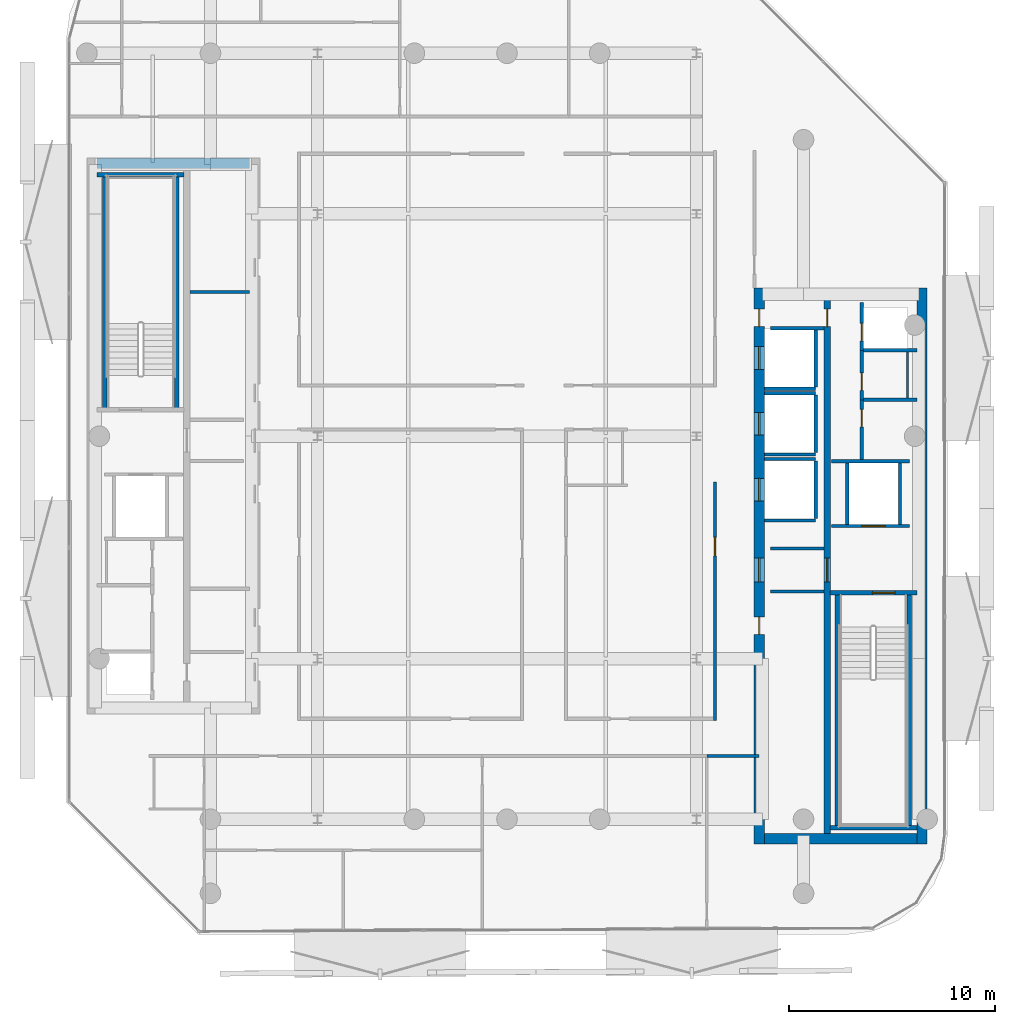
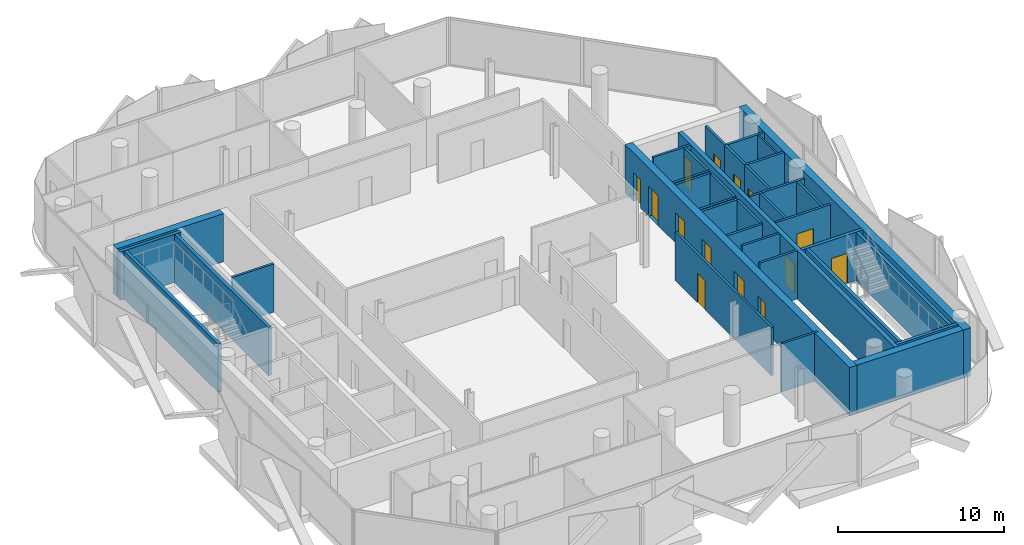
# One storey, part 6 of 15: 36 walls, 14 doors, 14 openings.
"""IFC4 building model written with IfcOpenShell, lengths in metres."""

from ifc_helpers import new_model, si_unit, direction, frame, frame_2d, origin, place, context, subcontext, project, spatial, rectangle, extrude, material, layer, layer_set, type_object, element, fill, save


model = new_model("IFC4")

# Units and contexts
model_context = context("Model", 3, precision=1e-05, world=origin(), true_north=direction((0.0, 1.0)))
body_context = subcontext(model_context, "Body", "Model", "MODEL_VIEW")
ifc_project = project(units=[si_unit("LENGTHUNIT", "METRE"), si_unit("AREAUNIT", "SQUARE_METRE"), si_unit("VOLUMEUNIT", "CUBIC_METRE"), si_unit("PLANEANGLEUNIT", "RADIAN"), si_unit("MASSUNIT", "GRAM", prefix="KILO")], contexts=[model_context])

# Site, building, storey
site_placement = place(None, origin())
site = spatial("IfcSite", under=ifc_project, at=site_placement, CompositionType="ELEMENT")
building_placement = place(site_placement, origin())
building = spatial("IfcBuilding", under=site, at=building_placement, Name="Khairoan Windgate Tower", CompositionType="ELEMENT")
storey_placement = place(building_placement, frame((0.0, 0.0, 289.0)))
storey = spatial("IfcBuildingStorey", under=building, at=storey_placement, Name="L69", CompositionType="ELEMENT", Elevation=289.0)

# Walls
ifc_material_1 = material(Name="Moisture-Resistant Gypsum Partition", Category="gypsum")
ifc_layer_1 = layer(ifc_material_1, 0.10009765625, Name="Moisture-Resistant Gypsum Partition")
ifc_layer_set_1 = layer_set([ifc_layer_1], Name="Moisture-Resistant Gypsum Partition")
wall_type_1 = type_object("IfcWallType", Name="Bathroom Wet-Area Partition Wall", PredefinedType="PARTITIONING", material=ifc_layer_set_1)
wall_1_placement = place(storey_placement, frame((19.449951171875, 4.090087890625, 0.0), z_axis=(0.0, 0.0, 1.0), x_axis=(0.0, -1.0, 0.0)))
element("IfcWall", 1, at=wall_1_placement, inside=storey, type_object=wall_type_1, Name="L69 Wet Room Side Wall 059", PredefinedType="PARTITIONING", context=body_context, shape_type="SweptSolid", body=[
    extrude(rectangle(XDim=2.239990234375, YDim=0.10009765625, at=frame_2d((1.1201171875, 0.0))), origin(), (0.0, 0.0, 1.0), 3.5400390625),
])
ifc_material_2 = material(Name="Concrete C40/50", Category="concrete")
ifc_layer_2 = layer(ifc_material_2, 0.159912109375, Name="Concrete C40/50")
ifc_layer_set_2 = layer_set([ifc_layer_2], Name="Concrete C40/50")
wall_type_2 = type_object("IfcWallType", Name="Core and Hoistway Enclosure Wall", PredefinedType="STANDARD", material=ifc_layer_set_2)
wall_2_placement = place(storey_placement, frame((12.5, 2.31005859375, 0.0), z_axis=(0.0, 0.0, 1.0), x_axis=(1.0, 0.0, 0.0)))
element("IfcWall", 2, at=wall_2_placement, inside=storey, type_object=wall_type_2, Name="L69 Lift PL7 Hoistway Divider S", PredefinedType="STANDARD", context=body_context, shape_type="SweptSolid", body=[
    extrude(rectangle(XDim=2.489990234375, YDim=0.159912109375, at=frame_2d((1.2451171875, 0.0))), origin(), (0.0, 0.0, 1.0), 3.5400390625),
])
wall_3_placement = place(storey_placement, frame((14.989990234375, 2.39990234375, 0.0), z_axis=(0.0, 0.0, 1.0), x_axis=(0.0, 1.0, 0.0)))
element("IfcWall", 3, at=wall_3_placement, inside=storey, type_object=wall_type_2, Name="L69 Lift PL7 Hoistway Back Wall", PredefinedType="STANDARD", context=body_context, shape_type="SweptSolid", body=[
    extrude(rectangle(XDim=2.800048828125, YDim=0.159912109375, at=frame_2d((1.39990234375, 0.0))), origin(), (0.0, 0.0, 1.0), 3.5400390625),
])
for number, where, z_axis, x_axis, name in (
    (4, (12.5, -0.889892578125, 0.0), (0.0, 0.0, 1.0), (1.0, 0.0, 0.0), "L69 Lift PL8 Hoistway Divider S"),
    (5, (12.5, 2.090087890625, 0.0), (0.0, 0.0, 1.0), (1.0, 0.0, 0.0), "L69 Lift PL8 Hoistway Divider N"),
):
    element("IfcWall", number, at=place(storey_placement, frame(where, z_axis=z_axis, x_axis=x_axis)), inside=storey, type_object=wall_type_2, Name=name, PredefinedType="STANDARD", context=body_context, shape_type="SweptSolid", body=[
        extrude(rectangle(XDim=2.489990234375, YDim=0.159912109375, at=frame_2d((1.2451171875, 0.0))), origin(), (0.0, 0.0, 1.0), 3.5400390625),
    ])
wall_4_placement = place(storey_placement, frame((14.989990234375, -0.800048828125, 0.0), z_axis=(0.0, 0.0, 1.0), x_axis=(0.0, 1.0, 0.0)))
element("IfcWall", 6, at=wall_4_placement, inside=storey, type_object=wall_type_2, Name="L69 Lift PL8 Hoistway Back Wall", PredefinedType="STANDARD", context=body_context, shape_type="SweptSolid", body=[
    extrude(rectangle(XDim=2.800048828125, YDim=0.159912109375, at=frame_2d((1.39990234375, 0.0))), origin(), (0.0, 0.0, 1.0), 3.5400390625),
])
for number, where, z_axis, x_axis, name in (
    (7, (12.5, -4.090087890625, 0.0), (0.0, 0.0, 1.0), (1.0, 0.0, 0.0), "L69 Lift PL9 Hoistway Divider S"),
    (8, (12.5, -1.110107421875, 0.0), (0.0, 0.0, 1.0), (1.0, 0.0, 0.0), "L69 Lift PL9 Hoistway Divider N"),
):
    element("IfcWall", number, at=place(storey_placement, frame(where, z_axis=z_axis, x_axis=x_axis)), inside=storey, type_object=wall_type_2, Name=name, PredefinedType="STANDARD", context=body_context, shape_type="SweptSolid", body=[
        extrude(rectangle(XDim=2.489990234375, YDim=0.159912109375, at=frame_2d((1.2451171875, 0.0))), origin(), (0.0, 0.0, 1.0), 3.5400390625),
    ])
wall_5_placement = place(storey_placement, frame((14.989990234375, -4.0, 0.0), z_axis=(0.0, 0.0, 1.0), x_axis=(0.0, 1.0, 0.0)))
element("IfcWall", 9, at=wall_5_placement, inside=storey, type_object=wall_type_2, Name="L69 Lift PL9 Hoistway Back Wall", PredefinedType="STANDARD", context=body_context, shape_type="SweptSolid", body=[
    extrude(rectangle(XDim=2.800048828125, YDim=0.159912109375, at=frame_2d((1.39990234375, 0.0))), origin(), (0.0, 0.0, 1.0), 3.5400390625),
])

# Wall, opening, door
wall_6_placement = place(storey_placement, frame((15.75, -4.360107421875, 0.0), z_axis=(0.0, 0.0, 1.0), x_axis=(1.0, 0.0, 0.0)))
wall_6 = element("IfcWall", 10, at=wall_6_placement, inside=storey, type_object=wall_type_2, Name="L69 Core Shaft Wall SW-FL1-L69", PredefinedType="STANDARD", context=body_context, shape_type="SweptSolid", body=[
    extrude(rectangle(XDim=3.800048828125, YDim=0.159912109375, at=frame_2d((1.89990234375, 0.0))), origin(), (0.0, 0.0, 1.0), 3.5400390625),
])
opening_1_placement = place(wall_6_placement, frame((1.469970703125, 0.0, 0.0)))
opening_1 = element("IfcOpeningElement", 11, at=opening_1_placement, cuts=wall_6, Name="Opening LD-FL", PredefinedType="OPENING", context=body_context, shape_type="SweptSolid", body=[
    extrude(rectangle(XDim=1.14990234375, YDim=2.199951171875, at=frame_2d((0.574951171875, 1.10009765625))), frame((0.0, 0.08984375, 0.0), z_axis=(0.0, -1.0, 0.0), x_axis=(1.0, 0.0, 0.0)), (0.0, 0.0, 1.0), 0.179931640625),
])
ifc_material_3 = material(Name="Steel S355", Category="steel")
door_type_1 = type_object("IfcDoorType", Name="Firefighting Lift Sliding Landing Door LD-FL 1150x2200", OperationType="DOUBLE_DOOR_SLIDING", PredefinedType="DOOR", material=ifc_material_3)
door_1_placement = place(opening_1_placement, origin())
door_1 = element("IfcDoor", 12, at=door_1_placement, inside=storey, type_object=door_type_1, Name="L69 Firefighting Lift FL1 Landing Door", OperationType="DOUBLE_DOOR_SLIDING", OverallHeight=2.199951171875, OverallWidth=1.14990234375, PredefinedType="DOOR", context=body_context, shape_type="SweptSolid", body=[
    extrude(rectangle(XDim=1.14990234375, YDim=2.199951171875, at=frame_2d((0.574951171875, 1.10009765625))), frame((0.0, 0.02490234375, 0.0), z_axis=(0.0, -1.0, 0.0), x_axis=(1.0, 0.0, 0.0)), (0.0, 0.0, 1.0), 0.050048828125),
])
fill(opening_1, door_1)

# Walls
wall_7_placement = place(storey_placement, frame((15.75, -1.219970703125, 0.0), z_axis=(0.0, 0.0, 1.0), x_axis=(1.0, 0.0, 0.0)))
element("IfcWall", 13, at=wall_7_placement, inside=storey, type_object=wall_type_2, Name="L69 Core Shaft Wall SW-FL1T-L69", PredefinedType="STANDARD", context=body_context, shape_type="SweptSolid", body=[
    extrude(rectangle(XDim=3.800048828125, YDim=0.159912109375, at=frame_2d((1.89990234375, 0.0))), origin(), (0.0, 0.0, 1.0), 3.5400390625),
])
for number, where, z_axis, x_axis, name in (
    (14, (16.52001953125, -4.280029296875, 0.0), (0.0, 0.0, 1.0), (0.0, 1.0, 0.0), "L69 Core Shaft Wall SW-FL1W-L69"),
    (15, (19.080078125, -4.280029296875, 0.0), (0.0, 0.0, 1.0), (0.0, 1.0, 0.0), "L69 Core Shaft Wall SW-FL1E-L69"),
):
    element("IfcWall", number, at=place(storey_placement, frame(where, z_axis=z_axis, x_axis=x_axis)), inside=storey, type_object=wall_type_2, Name=name, PredefinedType="STANDARD", context=body_context, shape_type="SweptSolid", body=[
        extrude(rectangle(XDim=2.97998046875, YDim=0.159912109375, at=frame_2d((1.489990234375, 0.0))), origin(), (0.0, 0.0, 1.0), 3.5400390625),
    ])
for number, where, z_axis, x_axis, name in (
    (16, (12.800048828125, -5.449951171875, 0.0), (0.0, 0.0, 1.0), (1.0, 0.0, 0.0), "L69 Core Shaft Wall SW-EV1-L69"),
    (17, (12.800048828125, -7.5400390625, 0.0), (0.0, 0.0, 1.0), (1.0, 0.0, 0.0), "L69 Core Shaft Wall SW-EV2-L69"),
    (18, (12.800048828125, 5.25, 0.0), (0.0, 0.0, 1.0), (1.0, 0.0, 0.0), "L69 Core Shaft Wall SW-ESV-L69"),
):
    element("IfcWall", number, at=place(storey_placement, frame(where, z_axis=z_axis, x_axis=x_axis)), inside=storey, type_object=wall_type_2, Name=name, PredefinedType="STANDARD", context=body_context, shape_type="SweptSolid", body=[
        extrude(rectangle(XDim=2.599853515625, YDim=0.159912109375, at=frame_2d((1.2998046875, 0.0))), origin(), (0.0, 0.0, 1.0), 3.5400390625),
    ])
ifc_material_4 = material(Name="Concrete C40/50", Category="concrete")
ifc_layer_3 = layer(ifc_material_4, 0.159912109375, Name="Concrete C40/50")
ifc_layer_set_3 = layer_set([ifc_layer_3], Name="Concrete C40/50")
wall_type_3 = type_object("IfcWallType", Name="Plant and Refuge Compartment Wall", PredefinedType="PARTITIONING", material=ifc_layer_set_3)
wall_8_placement = place(storey_placement, frame((-15.39990234375, 7.0, 0.0), z_axis=(0.0, 0.0, 1.0), x_axis=(1.0, 0.0, 0.0)))
element("IfcWall", 19, at=wall_8_placement, inside=storey, type_object=wall_type_3, Name="L69 Interior Partition 006", PredefinedType="PARTITIONING", context=body_context, shape_type="SweptSolid", body=[
    extrude(rectangle(XDim=2.89990234375, YDim=0.159912109375, at=frame_2d((1.449951171875, 0.0))), origin(), (0.0, 0.0, 1.0), 3.5400390625),
])

# Wall, opening, door
wall_9_placement = place(storey_placement, frame((17.22998046875, 4.169921875, 0.0), z_axis=(0.0, 0.0, 1.0), x_axis=(0.0, 1.0, 0.0)))
wall_9 = element("IfcWall", 20, at=wall_9_placement, inside=storey, type_object=wall_type_3, Name="L69 Interior Partition 008", PredefinedType="PARTITIONING", context=body_context, shape_type="SweptSolid", body=[
    extrude(rectangle(XDim=2.320068359375, YDim=0.159912109375, at=frame_2d((1.16015625, 0.0))), origin(), (0.0, 0.0, 1.0), 3.5400390625),
])
opening_2_placement = place(wall_9_placement, frame((0.4599609375, 0.0, 0.0)))
opening_2 = element("IfcOpeningElement", 21, at=opening_2_placement, cuts=wall_9, Name="Opening FD-SRV", PredefinedType="OPENING", context=body_context, shape_type="SweptSolid", body=[
    extrude(rectangle(XDim=0.85009765625, YDim=2.10009765625, at=frame_2d((0.425048828125, 1.050048828125))), frame((0.0, 0.08984375, 0.0), z_axis=(0.0, -1.0, 0.0), x_axis=(1.0, 0.0, 0.0)), (0.0, 0.0, 1.0), 0.179931640625),
])
ifc_material_5 = material(Name="Steel S355", Category="steel")
door_type_2 = type_object("IfcDoorType", Name="Core Service and Riser Fire Door FD-SRV 850x2100", OperationType="NOTDEFINED", PredefinedType="DOOR", material=ifc_material_5)
door_2_placement = place(opening_2_placement, origin())
door_2 = element("IfcDoor", 22, at=door_2_placement, inside=storey, type_object=door_type_2, Name="L69 L69-17-L69-18 Door", OperationType="SINGLE_SWING_RIGHT", OverallHeight=2.10009765625, OverallWidth=0.85009765625, PredefinedType="DOOR", context=body_context, shape_type="SweptSolid", body=[
    extrude(rectangle(XDim=0.85009765625, YDim=2.10009765625, at=frame_2d((0.425048828125, 1.050048828125))), frame((0.0, 0.02490234375, 0.0), z_axis=(0.0, -1.0, 0.0), x_axis=(1.0, 0.0, 0.0)), (0.0, 0.0, 1.0), 0.050048828125),
])
fill(opening_2, door_2)

wall_10_placement = place(storey_placement, frame((17.22998046875, 1.77001953125, 0.0), z_axis=(0.0, 0.0, 1.0), x_axis=(0.0, 1.0, 0.0)))
wall_10 = element("IfcWall", 23, at=wall_10_placement, inside=storey, type_object=wall_type_3, Name="L69 Interior Partition 009", PredefinedType="PARTITIONING", context=body_context, shape_type="SweptSolid", body=[
    extrude(rectangle(XDim=2.39990234375, YDim=0.159912109375, at=frame_2d((1.199951171875, 0.0))), origin(), (0.0, 0.0, 1.0), 3.5400390625),
])
opening_3_placement = place(wall_10_placement, frame((0.4599609375, 0.0, 0.0)))
opening_3 = element("IfcOpeningElement", 24, at=opening_3_placement, cuts=wall_10, Name="Opening FD-SRV", PredefinedType="OPENING", context=body_context, shape_type="SweptSolid", body=[
    extrude(rectangle(XDim=0.85009765625, YDim=2.10009765625, at=frame_2d((0.425048828125, 1.050048828125))), frame((0.0, 0.08984375, 0.0), z_axis=(0.0, -1.0, 0.0), x_axis=(1.0, 0.0, 0.0)), (0.0, 0.0, 1.0), 0.179931640625),
])
door_3_placement = place(opening_3_placement, origin())
door_3 = element("IfcDoor", 25, at=door_3_placement, inside=storey, type_object=door_type_2, Name="L69 L69-17-L69-19 Door", OperationType="SINGLE_SWING_LEFT", OverallHeight=2.10009765625, OverallWidth=0.85009765625, PredefinedType="DOOR", context=body_context, shape_type="SweptSolid", body=[
    extrude(rectangle(XDim=0.85009765625, YDim=2.10009765625, at=frame_2d((0.425048828125, 1.050048828125))), frame((0.0, 0.02490234375, 0.0), z_axis=(0.0, -1.0, 0.0), x_axis=(1.0, 0.0, 0.0)), (0.0, 0.0, 1.0), 0.050048828125),
])
fill(opening_3, door_3)

wall_11_placement = place(storey_placement, frame((17.22998046875, -1.139892578125, 0.0), z_axis=(0.0, 0.0, 1.0), x_axis=(0.0, 1.0, 0.0)))
wall_11 = element("IfcWall", 26, at=wall_11_placement, inside=storey, type_object=wall_type_3, Name="L69 Interior Partition 010", PredefinedType="PARTITIONING", context=body_context, shape_type="SweptSolid", body=[
    extrude(rectangle(XDim=2.909912109375, YDim=0.159912109375, at=frame_2d((1.455078125, 0.0))), origin(), (0.0, 0.0, 1.0), 3.5400390625),
])
opening_4_placement = place(wall_11_placement, frame((1.60009765625, 0.0, 0.0)))
opening_4 = element("IfcOpeningElement", 27, at=opening_4_placement, cuts=wall_11, Name="Opening FD-SRV", PredefinedType="OPENING", context=body_context, shape_type="SweptSolid", body=[
    extrude(rectangle(XDim=0.85009765625, YDim=2.10009765625, at=frame_2d((0.425048828125, 1.050048828125))), frame((0.0, 0.08984375, 0.0), z_axis=(0.0, -1.0, 0.0), x_axis=(1.0, 0.0, 0.0)), (0.0, 0.0, 1.0), 0.179931640625),
])
door_4_placement = place(opening_4_placement, origin())
door_4 = element("IfcDoor", 28, at=door_4_placement, inside=storey, type_object=door_type_2, Name="L69 L69-17-L69-20 Door", OperationType="SINGLE_SWING_RIGHT", OverallHeight=2.10009765625, OverallWidth=0.85009765625, PredefinedType="DOOR", context=body_context, shape_type="SweptSolid", body=[
    extrude(rectangle(XDim=0.85009765625, YDim=2.10009765625, at=frame_2d((0.425048828125, 1.050048828125))), frame((0.0, 0.02490234375, 0.0), z_axis=(0.0, -1.0, 0.0), x_axis=(1.0, 0.0, 0.0)), (0.0, 0.0, 1.0), 0.050048828125),
])
fill(opening_4, door_4)

# Walls
for number, where, z_axis, x_axis, name in (
    (29, (17.31005859375, 4.169921875, 0.0), (0.0, 0.0, 1.0), (1.0, 0.0, 0.0), "L69 Interior Partition 011"),
    (30, (17.31005859375, 1.77001953125, 0.0), (0.0, 0.0, 1.0), (1.0, 0.0, 0.0), "L69 Interior Partition 012"),
):
    element("IfcWall", number, at=place(storey_placement, frame(where, z_axis=z_axis, x_axis=x_axis)), inside=storey, type_object=wall_type_3, Name=name, PredefinedType="PARTITIONING", context=body_context, shape_type="SweptSolid", body=[
        extrude(rectangle(XDim=2.58984375, YDim=0.159912109375, at=frame_2d((1.294921875, 0.0))), origin(), (0.0, 0.0, 1.0), 3.5400390625),
    ])

# Wall, opening, door
ifc_material_6 = material(Name="Acoustic Fire-Rated Gypsum Partition", Category="gypsum")
ifc_layer_4 = layer(ifc_material_6, 0.14990234375, Name="Acoustic Fire-Rated Gypsum Partition")
ifc_layer_set_4 = layer_set([ifc_layer_4], Name="Acoustic Fire-Rated Gypsum Partition")
wall_type_4 = type_object("IfcWallType", Name="Rated Corridor Partition Wall", PredefinedType="PARTITIONING", material=ifc_layer_set_4)
wall_12_placement = place(storey_placement, frame((10.10009765625, -13.794921875, 0.0), z_axis=(0.0, 0.0, 1.0), x_axis=(0.0, 1.0, 0.0)))
wall_12 = element("IfcWall", 31, at=wall_12_placement, inside=storey, type_object=wall_type_4, Name="L69 Interior Partition 017", PredefinedType="PARTITIONING", context=body_context, shape_type="SweptSolid", body=[
    extrude(rectangle(XDim=11.574951171875, YDim=0.14990234375, at=frame_2d((5.78759765625, 0.0))), origin(), (0.0, 0.0, 1.0), 3.5400390625),
])
opening_5_placement = place(wall_12_placement, frame((7.9794921875, 0.0, 0.0)))
opening_5 = element("IfcOpeningElement", 32, at=opening_5_placement, cuts=wall_12, Name="Opening FD-ENT", PredefinedType="OPENING", context=body_context, shape_type="SweptSolid", body=[
    extrude(rectangle(XDim=0.89990234375, YDim=2.14990234375, at=frame_2d((0.449951171875, 1.074951171875))), frame((0.0, 0.0849609375, 0.0), z_axis=(0.0, -1.0, 0.0), x_axis=(1.0, 0.0, 0.0)), (0.0, 0.0, 1.0), 0.169921875),
])
ifc_material_7 = material(Name="Timber Fire-Rated Core", Category="wood")
door_type_3 = type_object("IfcDoorType", Name="Unit and Office Fire Entrance Door FD-ENT 900x2150", OperationType="NOTDEFINED", PredefinedType="DOOR", material=ifc_material_7)
door_5_placement = place(opening_5_placement, origin())
door_5 = element("IfcDoor", 33, at=door_5_placement, inside=storey, type_object=door_type_3, Name="L69 L69-28-L69-52 Door", OperationType="SINGLE_SWING_LEFT", OverallHeight=2.14990234375, OverallWidth=0.89990234375, PredefinedType="DOOR", context=body_context, shape_type="SweptSolid", body=[
    extrude(rectangle(XDim=0.89990234375, YDim=2.14990234375, at=frame_2d((0.449951171875, 1.074951171875))), frame((0.0, 0.02490234375, 0.0), z_axis=(0.0, -1.0, 0.0), x_axis=(1.0, 0.0, 0.0)), (0.0, 0.0, 1.0), 0.050048828125),
])
fill(opening_5, door_5)

# Wall
wall_13_placement = place(storey_placement, frame((9.705078125, -15.52490234375, 0.0), z_axis=(0.0, 0.0, 1.0), x_axis=(1.0, 0.0, 0.0)))
element("IfcWall", 34, at=wall_13_placement, inside=storey, type_object=wall_type_4, Name="L69 Interior Partition 034", PredefinedType="PARTITIONING", context=body_context, shape_type="SweptSolid", body=[
    extrude(rectangle(XDim=2.534912109375, YDim=0.14990234375, at=frame_2d((1.267578125, 0.0))), origin(), (0.0, 0.0, 1.0), 3.5400390625),
])

# Wall, openings, doors
ifc_material_8 = material(Name="Concrete C50/60", Category="concrete")
ifc_layer_5 = layer(ifc_material_8, 0.5, Name="Concrete C50/60")
ifc_layer_set_5 = layer_set([ifc_layer_5], Name="Concrete C50/60")
wall_type_5 = type_object("IfcWallType", Name="Shear Wall CW-E3 500mm", PredefinedType="SHEAR", material=ifc_layer_set_5)
wall_14_placement = place(storey_placement, frame((12.25, -19.800048828125, 0.0), z_axis=(0.0, 0.0, 1.0), x_axis=(0.0, 1.0, 0.0)))
wall_14 = element("IfcWall", 35, at=wall_14_placement, inside=storey, type_object=wall_type_5, Name="E Core West Shear Wall L69", PredefinedType="SHEAR", context=body_context, shape_type="SweptSolid", body=[
    extrude(rectangle(XDim=27.0, YDim=0.5, at=frame_2d((13.5, 0.0))), origin(), (0.0, 0.0, 1.0), 3.5400390625),
])
opening_6_placement = place(wall_14_placement, frame((23.050048828125, 0.0, 0.0)))
opening_6 = element("IfcOpeningElement", 36, at=opening_6_placement, cuts=wall_14, Name="Opening LD-PL", PredefinedType="OPENING", context=body_context, shape_type="SweptSolid", body=[
    extrude(rectangle(XDim=1.10009765625, YDim=2.199951171875, at=frame_2d((0.550048828125, 1.10009765625))), frame((0.0, 0.260009765625, 0.0), z_axis=(0.0, -1.0, 0.0), x_axis=(1.0, 0.0, 0.0)), (0.0, 0.0, 1.0), 0.52001953125),
])
opening_7_placement = place(wall_14_placement, frame((19.85009765625, 0.0, 0.0)))
opening_7 = element("IfcOpeningElement", 37, at=opening_7_placement, cuts=wall_14, Name="Opening LD-PL", PredefinedType="OPENING", context=body_context, shape_type="SweptSolid", body=[
    extrude(rectangle(XDim=1.10009765625, YDim=2.199951171875, at=frame_2d((0.550048828125, 1.10009765625))), frame((0.0, 0.260009765625, 0.0), z_axis=(0.0, -1.0, 0.0), x_axis=(1.0, 0.0, 0.0)), (0.0, 0.0, 1.0), 0.52001953125),
])
opening_8_placement = place(wall_14_placement, frame((16.64990234375, 0.0, 0.0)))
opening_8 = element("IfcOpeningElement", 38, at=opening_8_placement, cuts=wall_14, Name="Opening LD-PL", PredefinedType="OPENING", context=body_context, shape_type="SweptSolid", body=[
    extrude(rectangle(XDim=1.10009765625, YDim=2.199951171875, at=frame_2d((0.550048828125, 1.10009765625))), frame((0.0, 0.260009765625, 0.0), z_axis=(0.0, -1.0, 0.0), x_axis=(1.0, 0.0, 0.0)), (0.0, 0.0, 1.0), 0.52001953125),
])
opening_9_placement = place(wall_14_placement, frame((10.175048828125, 0.0, 0.0)))
opening_9 = element("IfcOpeningElement", 39, at=opening_9_placement, cuts=wall_14, Name="Opening FD-SRV", PredefinedType="OPENING", context=body_context, shape_type="SweptSolid", body=[
    extrude(rectangle(XDim=0.85009765625, YDim=2.10009765625, at=frame_2d((0.425048828125, 1.050048828125))), frame((0.0, 0.260009765625, 0.0), z_axis=(0.0, -1.0, 0.0), x_axis=(1.0, 0.0, 0.0)), (0.0, 0.0, 1.0), 0.52001953125),
])
opening_10_placement = place(wall_14_placement, frame((12.72509765625, 0.0, 0.0)))
opening_10 = element("IfcOpeningElement", 40, at=opening_10_placement, cuts=wall_14, Name="Opening FD-FFL", PredefinedType="OPENING", context=body_context, shape_type="SweptSolid", body=[
    extrude(rectangle(XDim=1.14990234375, YDim=2.199951171875, at=frame_2d((0.574951171875, 1.10009765625))), frame((0.0, 0.260009765625, 0.0), z_axis=(0.0, -1.0, 0.0), x_axis=(1.0, 0.0, 0.0)), (0.0, 0.0, 1.0), 0.52001953125),
])
opening_11_placement = place(wall_14_placement, frame((25.125, 0.0, 0.0)))
opening_11 = element("IfcOpeningElement", 41, at=opening_11_placement, cuts=wall_14, Name="Opening FD-SRV", PredefinedType="OPENING", context=body_context, shape_type="SweptSolid", body=[
    extrude(rectangle(XDim=0.85009765625, YDim=2.10009765625, at=frame_2d((0.425048828125, 1.050048828125))), frame((0.0, 0.260009765625, 0.0), z_axis=(0.0, -1.0, 0.0), x_axis=(1.0, 0.0, 0.0)), (0.0, 0.0, 1.0), 0.52001953125),
])
door_6_placement = place(opening_9_placement, origin())
door_6 = element("IfcDoor", 42, at=door_6_placement, inside=storey, type_object=door_type_2, Name="L69 East Core Service Room Door 1", OperationType="SINGLE_SWING_RIGHT", OverallHeight=2.10009765625, OverallWidth=0.85009765625, PredefinedType="DOOR", context=body_context, shape_type="SweptSolid", body=[
    extrude(rectangle(XDim=0.85009765625, YDim=2.10009765625, at=frame_2d((0.425048828125, 1.050048828125))), frame((0.0, 0.02490234375, 0.0), z_axis=(0.0, -1.0, 0.0), x_axis=(1.0, 0.0, 0.0)), (0.0, 0.0, 1.0), 0.050048828125),
])
fill(opening_9, door_6)
door_7_placement = place(opening_11_placement, origin())
door_7 = element("IfcDoor", 43, at=door_7_placement, inside=storey, type_object=door_type_2, Name="L69 East Core Service Vestibule Outer Door", OperationType="SINGLE_SWING_LEFT", OverallHeight=2.10009765625, OverallWidth=0.85009765625, PredefinedType="DOOR", context=body_context, shape_type="SweptSolid", body=[
    extrude(rectangle(XDim=0.85009765625, YDim=2.10009765625, at=frame_2d((0.425048828125, 1.050048828125))), frame((0.0, 0.02490234375, 0.0), z_axis=(0.0, -1.0, 0.0), x_axis=(1.0, 0.0, 0.0)), (0.0, 0.0, 1.0), 0.050048828125),
])
fill(opening_11, door_7)
ifc_material_9 = material(Name="Steel S355", Category="steel")
door_type_4 = type_object("IfcDoorType", Name="Firefighting Lobby Fire Door FD-FFL 1150x2200", OperationType="NOTDEFINED", PredefinedType="DOOR", material=ifc_material_9)
door_8_placement = place(opening_10_placement, origin())
door_8 = element("IfcDoor", 44, at=door_8_placement, inside=storey, type_object=door_type_4, Name="L69 East Core Vestibule Entry Door", OperationType="SINGLE_SWING_LEFT", OverallHeight=2.199951171875, OverallWidth=1.14990234375, PredefinedType="DOOR", context=body_context, shape_type="SweptSolid", body=[
    extrude(rectangle(XDim=1.14990234375, YDim=2.199951171875, at=frame_2d((0.574951171875, 1.10009765625))), frame((0.0, 0.02490234375, 0.0), z_axis=(0.0, -1.0, 0.0), x_axis=(1.0, 0.0, 0.0)), (0.0, 0.0, 1.0), 0.050048828125),
])
fill(opening_10, door_8)
ifc_material_10 = material(Name="Anodised Bronze Aluminium 6063-T6", Category="aluminium")
door_type_5 = type_object("IfcDoorType", Name="Passenger Lift Sliding Landing Door LD-PL 1100x2200", OperationType="DOUBLE_DOOR_SLIDING", PredefinedType="DOOR", material=ifc_material_10)
door_9_placement = place(opening_6_placement, origin())
door_9 = element("IfcDoor", 45, at=door_9_placement, inside=storey, type_object=door_type_5, Name="L69 Lift PL7 Sliding Landing Door", OperationType="DOUBLE_DOOR_SLIDING", OverallHeight=2.199951171875, OverallWidth=1.10009765625, PredefinedType="DOOR", context=body_context, shape_type="SweptSolid", body=[
    extrude(rectangle(XDim=1.10009765625, YDim=2.199951171875, at=frame_2d((0.550048828125, 1.10009765625))), frame((0.0, 0.02490234375, 0.0), z_axis=(0.0, -1.0, 0.0), x_axis=(1.0, 0.0, 0.0)), (0.0, 0.0, 1.0), 0.050048828125),
])
fill(opening_6, door_9)
door_10_placement = place(opening_7_placement, origin())
door_10 = element("IfcDoor", 46, at=door_10_placement, inside=storey, type_object=door_type_5, Name="L69 Lift PL8 Sliding Landing Door", OperationType="DOUBLE_DOOR_SLIDING", OverallHeight=2.199951171875, OverallWidth=1.10009765625, PredefinedType="DOOR", context=body_context, shape_type="SweptSolid", body=[
    extrude(rectangle(XDim=1.10009765625, YDim=2.199951171875, at=frame_2d((0.550048828125, 1.10009765625))), frame((0.0, 0.02490234375, 0.0), z_axis=(0.0, -1.0, 0.0), x_axis=(1.0, 0.0, 0.0)), (0.0, 0.0, 1.0), 0.050048828125),
])
fill(opening_7, door_10)
door_11_placement = place(opening_8_placement, origin())
door_11 = element("IfcDoor", 47, at=door_11_placement, inside=storey, type_object=door_type_5, Name="L69 Lift PL9 Sliding Landing Door", OperationType="DOUBLE_DOOR_SLIDING", OverallHeight=2.199951171875, OverallWidth=1.10009765625, PredefinedType="DOOR", context=body_context, shape_type="SweptSolid", body=[
    extrude(rectangle(XDim=1.10009765625, YDim=2.199951171875, at=frame_2d((0.550048828125, 1.10009765625))), frame((0.0, 0.02490234375, 0.0), z_axis=(0.0, -1.0, 0.0), x_axis=(1.0, 0.0, 0.0)), (0.0, 0.0, 1.0), 0.050048828125),
])
fill(opening_8, door_11)

# Walls
wall_15_placement = place(storey_placement, frame((20.14990234375, -19.800048828125, 0.0), z_axis=(0.0, 0.0, 1.0), x_axis=(0.0, 1.0, 0.0)))
element("IfcWall", 48, at=wall_15_placement, inside=storey, type_object=wall_type_5, Name="E Core East Shear Wall L69", PredefinedType="SHEAR", context=body_context, shape_type="SweptSolid", body=[
    extrude(rectangle(XDim=27.0, YDim=0.5, at=frame_2d((13.5, 0.0))), origin(), (0.0, 0.0, 1.0), 3.5400390625),
])
wall_16_placement = place(storey_placement, frame((12.5, -19.550048828125, 0.0), z_axis=(0.0, 0.0, 1.0), x_axis=(1.0, 0.0, 0.0)))
element("IfcWall", 49, at=wall_16_placement, inside=storey, type_object=wall_type_5, Name="E Core South Shear Wall L69", PredefinedType="SHEAR", context=body_context, shape_type="SweptSolid", body=[
    extrude(rectangle(XDim=7.39990234375, YDim=0.5, at=frame_2d((3.699951171875, 0.0))), origin(), (0.0, 0.0, 1.0), 3.5400390625),
])
ifc_material_11 = material(Name="Concrete C50/60", Category="concrete")
ifc_layer_6 = layer(ifc_material_11, 0.5, Name="Concrete C50/60")
ifc_layer_set_6 = layer_set([ifc_layer_6], Name="Concrete C50/60")
wall_type_6 = type_object("IfcWallType", Name="Shear Wall CW-W3 500mm", PredefinedType="SHEAR", material=ifc_layer_set_6)
wall_17_placement = place(storey_placement, frame((-19.89990234375, 13.25, 0.0), z_axis=(0.0, 0.0, 1.0), x_axis=(1.0, 0.0, 0.0)))
element("IfcWall", 50, at=wall_17_placement, inside=storey, type_object=wall_type_6, Name="W Core North Shear Wall L69", PredefinedType="SHEAR", context=body_context, shape_type="SweptSolid", body=[
    extrude(rectangle(XDim=7.39990234375, YDim=0.5, at=frame_2d((3.699951171875, 0.0))), origin(), (0.0, 0.0, 1.0), 3.5400390625),
])

# Wall, openings, doors
ifc_material_12 = material(Name="Concrete C50/60", Category="concrete")
ifc_layer_7 = layer(ifc_material_12, 0.300048828125, Name="Concrete C50/60")
ifc_layer_set_7 = layer_set([ifc_layer_7], Name="Concrete C50/60")
wall_type_7 = type_object("IfcWallType", Name="Shear Wall SW-2 300mm", PredefinedType="SHEAR", material=ifc_layer_set_7)
wall_18_placement = place(storey_placement, frame((15.550048828125, -19.300048828125, 0.0), z_axis=(0.0, 0.0, 1.0), x_axis=(0.0, 1.0, 0.0)))
wall_18 = element("IfcWall", 51, at=wall_18_placement, inside=storey, type_object=wall_type_7, Name="E Core Spine Shear Wall L69", PredefinedType="SHEAR", context=body_context, shape_type="SweptSolid", body=[
    extrude(rectangle(XDim=26.0, YDim=0.300048828125, at=frame_2d((13.0, 0.0))), origin(), (0.0, 0.0, 1.0), 3.5400390625),
])
opening_12_placement = place(wall_18_placement, frame((12.22509765625, 0.0, 0.0)))
opening_12 = element("IfcOpeningElement", 52, at=opening_12_placement, cuts=wall_18, Name="Opening FD-FFL", PredefinedType="OPENING", context=body_context, shape_type="SweptSolid", body=[
    extrude(rectangle(XDim=1.14990234375, YDim=2.199951171875, at=frame_2d((0.574951171875, 1.10009765625))), frame((0.0, 0.159912109375, 0.0), z_axis=(0.0, -1.0, 0.0), x_axis=(1.0, 0.0, 0.0)), (0.0, 0.0, 1.0), 0.320068359375),
])
opening_13_placement = place(wall_18_placement, frame((24.625, 0.0, 0.0)))
opening_13 = element("IfcOpeningElement", 53, at=opening_13_placement, cuts=wall_18, Name="Opening FD-SRV", PredefinedType="OPENING", context=body_context, shape_type="SweptSolid", body=[
    extrude(rectangle(XDim=0.85009765625, YDim=2.10009765625, at=frame_2d((0.425048828125, 1.050048828125))), frame((0.0, 0.159912109375, 0.0), z_axis=(0.0, -1.0, 0.0), x_axis=(1.0, 0.0, 0.0)), (0.0, 0.0, 1.0), 0.320068359375),
])
door_12_placement = place(opening_13_placement, origin())
door_12 = element("IfcDoor", 54, at=door_12_placement, inside=storey, type_object=door_type_2, Name="L69 East Core Service Passage Inner Door", OperationType="SINGLE_SWING_RIGHT", OverallHeight=2.10009765625, OverallWidth=0.85009765625, PredefinedType="DOOR", context=body_context, shape_type="SweptSolid", body=[
    extrude(rectangle(XDim=0.85009765625, YDim=2.10009765625, at=frame_2d((0.425048828125, 1.050048828125))), frame((0.0, 0.02490234375, 0.0), z_axis=(0.0, -1.0, 0.0), x_axis=(1.0, 0.0, 0.0)), (0.0, 0.0, 1.0), 0.050048828125),
])
fill(opening_13, door_12)
door_13_placement = place(opening_12_placement, origin())
door_13 = element("IfcDoor", 55, at=door_13_placement, inside=storey, type_object=door_type_4, Name="L69 East Firefighting Lobby Fire Door", OperationType="SINGLE_SWING_RIGHT", OverallHeight=2.199951171875, OverallWidth=1.14990234375, PredefinedType="DOOR", context=body_context, shape_type="SweptSolid", body=[
    extrude(rectangle(XDim=1.14990234375, YDim=2.199951171875, at=frame_2d((0.574951171875, 1.10009765625))), frame((0.0, 0.02490234375, 0.0), z_axis=(0.0, -1.0, 0.0), x_axis=(1.0, 0.0, 0.0)), (0.0, 0.0, 1.0), 0.050048828125),
])
fill(opening_12, door_13)

# Walls
ifc_material_13 = material(Name="Concrete C50/60", Category="concrete")
ifc_layer_8 = layer(ifc_material_13, 0.219970703125, Name="Concrete C50/60")
ifc_layer_set_8 = layer_set([ifc_layer_8], Name="Concrete C50/60")
wall_type_8 = type_object("IfcWallType", Name="Shear Wall SW-ST 220mm", PredefinedType="SHEAR", material=ifc_layer_set_8)
for number, where, z_axis, x_axis, name in (
    (56, (16.0400390625, -19.010009765625, 0.0), (0.0, 0.0, 1.0), (0.0, 1.0, 0.0), "L69 Stair ST1 West Bearing Wall"),
    (57, (19.530029296875, -19.010009765625, 0.0), (0.0, 0.0, 1.0), (0.0, 1.0, 0.0), "L69 Stair ST1 East Bearing Wall"),
):
    element("IfcWall", number, at=place(storey_placement, frame(where, z_axis=z_axis, x_axis=x_axis)), inside=storey, type_object=wall_type_8, Name=name, PredefinedType="SHEAR", context=body_context, shape_type="SweptSolid", body=[
        extrude(rectangle(XDim=11.419921875, YDim=0.219970703125, at=frame_2d((5.7099609375, 0.0))), origin(), (0.0, 0.0, 1.0), 3.5400390625),
    ])
wall_19_placement = place(storey_placement, frame((15.679931640625, -19.010009765625, 0.0), z_axis=(0.0, 0.0, 1.0), x_axis=(1.0, 0.0, 0.0)))
element("IfcWall", 58, at=wall_19_placement, inside=storey, type_object=wall_type_8, Name="L69 Stair ST1 South Bearing Wall", PredefinedType="SHEAR", context=body_context, shape_type="SweptSolid", body=[
    extrude(rectangle(XDim=4.239990234375, YDim=0.219970703125, at=frame_2d((2.1201171875, 0.0))), origin(), (0.0, 0.0, 1.0), 3.5400390625),
])

# Wall, opening, door
wall_20_placement = place(storey_placement, frame((19.919921875, -7.590087890625, 0.0), z_axis=(0.0, 0.0, 1.0), x_axis=(-1.0, 0.0, 0.0)))
wall_20 = element("IfcWall", 59, at=wall_20_placement, inside=storey, type_object=wall_type_8, Name="L69 Stair ST1 North Bearing Wall", PredefinedType="SHEAR", context=body_context, shape_type="SweptSolid", body=[
    extrude(rectangle(XDim=4.239990234375, YDim=0.219970703125, at=frame_2d((2.1201171875, 0.0))), origin(), (0.0, 0.0, 1.0), 3.5400390625),
])
opening_14_placement = place(wall_20_placement, frame((1.080078125, 0.0, 0.0)))
opening_14 = element("IfcOpeningElement", 60, at=opening_14_placement, cuts=wall_20, Name="Opening FD-ST", PredefinedType="OPENING", context=body_context, shape_type="SweptSolid", body=[
    extrude(rectangle(XDim=1.10009765625, YDim=2.199951171875, at=frame_2d((0.550048828125, 1.10009765625))), frame((0.0, 0.119873046875, 0.0), z_axis=(0.0, -1.0, 0.0), x_axis=(1.0, 0.0, 0.0)), (0.0, 0.0, 1.0), 0.239990234375),
])
ifc_material_14 = material(Name="Steel S355", Category="steel")
door_type_6 = type_object("IfcDoorType", Name="Smokeproof Stair Fire Door FD-ST 1100x2200", OperationType="NOTDEFINED", PredefinedType="DOOR", material=ifc_material_14)
door_14_placement = place(opening_14_placement, origin())
door_14 = element("IfcDoor", 61, at=door_14_placement, inside=storey, type_object=door_type_6, Name="L69 Stair ST1 Fire Door", OperationType="SINGLE_SWING_RIGHT", OverallHeight=2.199951171875, OverallWidth=1.10009765625, PredefinedType="DOOR", context=body_context, shape_type="SweptSolid", body=[
    extrude(rectangle(XDim=1.10009765625, YDim=2.199951171875, at=frame_2d((0.550048828125, 1.10009765625))), frame((0.0, 0.02490234375, 0.0), z_axis=(0.0, -1.0, 0.0), x_axis=(1.0, 0.0, 0.0)), (0.0, 0.0, 1.0), 0.050048828125),
])
fill(opening_14, door_14)

# Walls
for number, where, z_axis, x_axis, name in (
    (62, (-16.0400390625, 1.2900390625, 0.0), (0.0, 0.0, 1.0), (0.0, 1.0, 0.0), "L69 Stair ST2 East Bearing Wall"),
    (63, (-19.530029296875, 1.2900390625, 0.0), (0.0, 0.0, 1.0), (0.0, 1.0, 0.0), "L69 Stair ST2 West Bearing Wall"),
):
    element("IfcWall", number, at=place(storey_placement, frame(where, z_axis=z_axis, x_axis=x_axis)), inside=storey, type_object=wall_type_8, Name=name, PredefinedType="SHEAR", context=body_context, shape_type="SweptSolid", body=[
        extrude(rectangle(XDim=11.419921875, YDim=0.219970703125, at=frame_2d((5.7099609375, 0.0))), origin(), (0.0, 0.0, 1.0), 3.5400390625),
    ])
wall_21_placement = place(storey_placement, frame((-19.919921875, 12.7099609375, 0.0), z_axis=(0.0, 0.0, 1.0), x_axis=(1.0, 0.0, 0.0)))
element("IfcWall", 64, at=wall_21_placement, inside=storey, type_object=wall_type_8, Name="L69 Stair ST2 North Bearing Wall", PredefinedType="SHEAR", context=body_context, shape_type="SweptSolid", body=[
    extrude(rectangle(XDim=4.239990234375, YDim=0.219970703125, at=frame_2d((2.1201171875, 0.0))), origin(), (0.0, 0.0, 1.0), 3.5400390625),
])

save(model, "model.ifc")
